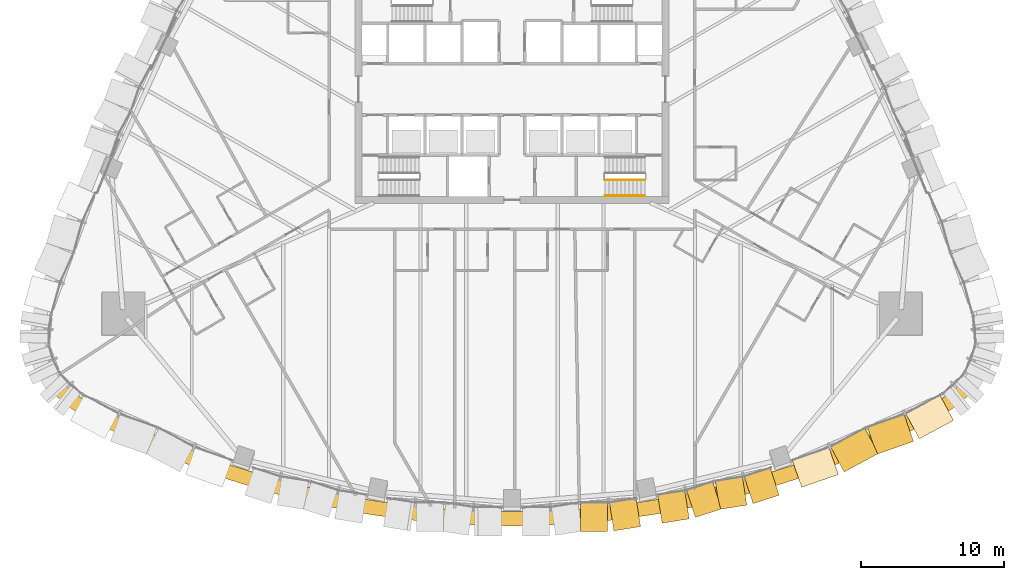
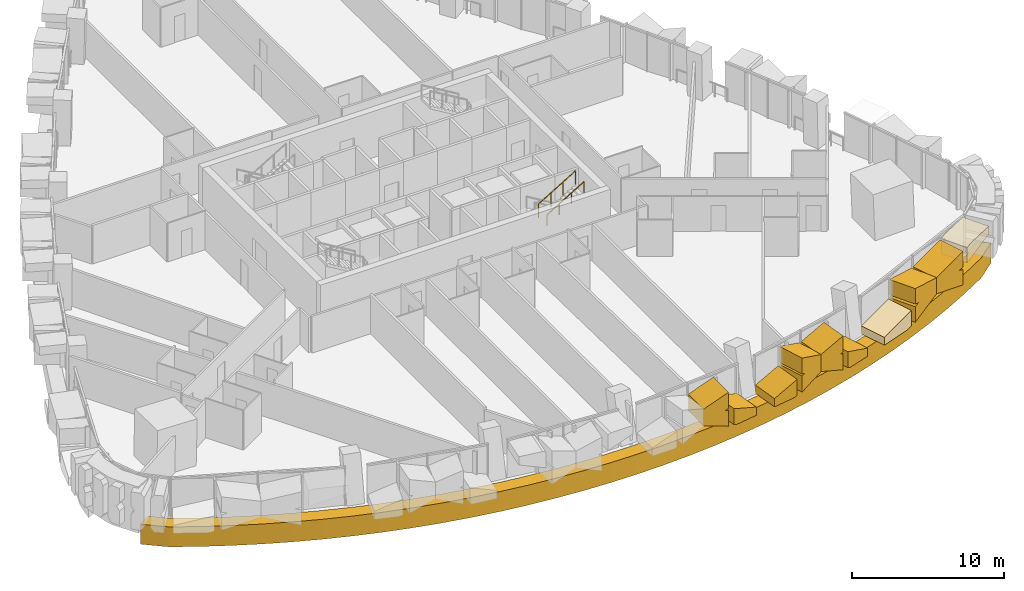
# One storey, part 21 of 27: 11 coverings, 2 railings.
"""IFC4 building model written with IfcOpenShell, lengths in metres."""

from ifc_helpers import new_model, si_unit, direction, frame, origin, origin_2d, place, context, subcontext, project, spatial, polyline, circle, outline, extrude, material, layer, layer_set, type_object, element, save


model = new_model("IFC4")

# Units and contexts
model_context = context("Model", 3, precision=1e-05, world=origin(), true_north=direction((0.0, 1.0)))
body_context = subcontext(model_context, "Body", "Model", "MODEL_VIEW")
ifc_project = project(units=[si_unit("LENGTHUNIT", "METRE"), si_unit("AREAUNIT", "SQUARE_METRE"), si_unit("VOLUMEUNIT", "CUBIC_METRE"), si_unit("PLANEANGLEUNIT", "RADIAN"), si_unit("MASSUNIT", "GRAM", prefix="KILO")], contexts=[model_context])

# Site, building, storey
site_placement = place(None, origin())
site = spatial("IfcSite", under=ifc_project, at=site_placement, CompositionType="ELEMENT")
building_placement = place(site_placement, origin())
building = spatial("IfcBuilding", under=site, at=building_placement, Name="Sierra Prisma Convention Tower", CompositionType="ELEMENT")
storey_placement = place(building_placement, frame((0.0, 0.0, 48.0)))
storey = spatial("IfcBuildingStorey", under=building, at=storey_placement, Name="L07", CompositionType="ELEMENT", Elevation=48.0)

# Coverings
ifc_material_1 = material(Name="Aluminium 6063-T6 bronze anodised", Category="aluminium")
ifc_layer_1 = layer(ifc_material_1, 2.0)
ifc_layer_set_1 = layer_set([ifc_layer_1], Name="Bronze crystal chevron frame")
covering_type_1 = type_object("IfcCoveringType", Name="Bronze crystal chevron frame", PredefinedType="CLADDING", material=ifc_layer_set_1)
covering_1_placement = place(storey_placement, frame((4.8037109375, -30.954345703125, 0.828125), z_axis=(-0.000902723258, -0.999999592545, 0.0), x_axis=(0.938019839753, -0.000846772671, -0.34658052918)))
element("IfcCovering", 1, at=covering_1_placement, inside=storey, type_object=covering_type_1, Name="CW-2 chevron frame S4.2.1", PredefinedType="CLADDING", context=body_context, shape_type="SweptSolid", body=[
    extrude(outline(polyline([(0.0, 0.0), (2.0160695997668276, 0.0), (1.5726902118515769, 1.200006338631869), (1.3381765305511282, 1.2000286754211562), (1.5163370301050965, 1.3525262282366062), (1.072957642189846, 2.552532566868475), (-0.458779206350475, 1.2416859481034337), (0.0, 0.0)])), origin(), (0.0, 0.0, -1.0), 2.0),
])
covering_2_placement = place(storey_placement, frame((7.136962890625, -30.921630859375, 0.081298828125), z_axis=(0.155558960262, -0.98782660905, 1.8318369e-05), x_axis=(0.926562713368, 0.1459049394, -0.346689034807)))
element("IfcCovering", 2, at=covering_2_placement, inside=storey, type_object=covering_type_1, Name="CW-2 chevron frame S4.2.2", PredefinedType="CLADDING", context=body_context, shape_type="SweptSolid", body=[
    extrude(outline(polyline([(0.0, 0.0), (0.23450072143651468, 0.0), (1.8020802693498734, 0.5793967561359634), (1.5726188500720646, 1.2002131906722031), (-0.44351819882542154, 1.199955041302064), (0.0, 0.0)])), origin(), (0.0, 0.0, -1.0), 2.0),
])
covering_3_placement = place(storey_placement, frame((12.188232421875, -30.120849609375, 0.0), z_axis=(0.155406541577, -0.987850598934, 3.1941824e-05), x_axis=(0.928269747487, 0.14604446908, 0.342032584635)))
element("IfcCovering", 3, at=covering_3_placement, inside=storey, type_object=covering_type_1, Name="CW-2 chevron frame S5.1.1", PredefinedType="CLADDING", context=body_context, shape_type="SweptSolid", body=[
    extrude(outline(polyline([(0.0, 0.0), (0.24197599167374007, 1.3877787807814457e-17), (0.6787856719046529, 1.2000752950787237), (-1.3658688099375853, 1.1999428757293895), (-1.5917472624370346, 0.5793724927838824), (0.0, 0.0)])), origin(), (0.0, 0.0, -1.0), 2.0),
])
covering_4_placement = place(storey_placement, frame((12.84423828125, -29.982421875, 1.4072265625), z_axis=(0.307981777238, -0.951392256059, 0.0), x_axis=(0.0, 0.0, -1.0)))
element("IfcCovering", 4, at=covering_4_placement, inside=storey, type_object=covering_type_1, Name="CW-2 chevron frame S5.1.2", PredefinedType="CLADDING", context=body_context, shape_type="SweptSolid", body=[
    extrude(outline(polyline([(0.0, 0.0), (1.277099609375, 0.0), (0.57763671875, 1.9215266214345317), (-0.7431640625, 1.9215266214345317), (-1.442626953125, 0.0), (-0.16552734375, 0.0), (-0.082763671875, 0.22737409886125842), (0.0, 0.0)])), origin(), (0.0, 0.0, -1.0), 2.0),
])
covering_5_placement = place(storey_placement, frame((14.551513671875, -29.41943359375, 0.82958984375), z_axis=(0.155406541656, -0.987850599438, 0.0), x_axis=(0.928249561172, 0.146030233901, -0.342093441869)))
element("IfcCovering", 5, at=covering_5_placement, inside=storey, type_object=covering_type_1, Name="CW-2 chevron frame S5.2.1", PredefinedType="CLADDING", context=body_context, shape_type="SweptSolid", body=[
    extrude(outline(polyline([(0.0, 0.0), (2.0446544862234006, 0.0), (1.6077670852427857, 1.2000470037170134), (1.365791094767203, 1.2000313305337749), (1.5511412664959194, 1.3555874106220287), (1.1142538655153045, 2.555634414339042), (-0.4518372852810413, 1.2411115064249747), (0.0, 0.0)])), origin(), (0.0, 0.0, -1.0), 2.0),
])
covering_6_placement = place(storey_placement, frame((16.880859375, -29.017822265625, 0.082763671875), z_axis=(0.308019191583, -0.951380143437, -1.7051048e-05), x_axis=(0.893995183296, 0.289446345638, -0.342043016653)))
element("IfcCovering", 6, at=covering_6_placement, inside=storey, type_object=covering_type_1, Name="CW-2 chevron frame S5.2.2", PredefinedType="CLADDING", context=body_context, shape_type="SweptSolid", body=[
    extrude(outline(polyline([(0.0, 0.0), (0.24196860748129134, -1.3877787807814457e-17), (1.8337188627454029, 0.5793935925803745), (1.6078335209369934, 1.1999614681322366), (-0.43682300295740867, 1.2000704462150795), (0.0, 0.0)])), origin(), (0.0, 0.0, -1.0), 2.0),
])
covering_7_placement = place(storey_placement, frame((22.47216796875, -27.113037109375, 0.0), z_axis=(0.330390243951, -0.943844418691, 2.847252e-06), x_axis=(0.913090594249, 0.319625712781, 0.253189593831)))
element("IfcCovering", 7, at=covering_7_placement, inside=storey, type_object=covering_type_1, Name="CW-2 chevron frame S6.1.1", PredefinedType="CLADDING", context=body_context, shape_type="SweptSolid", body=[
    extrude(outline(polyline([(0.0, 0.0), (0.42620296763600585, -1.3877787807814457e-17), (0.740217405297154, 1.1998234194495139), (-2.07516139586141, 1.2002599132678504), (-2.236124702095589, 0.5852323179437295), (0.0, 0.0)])), origin(), (0.0, 0.0, -1.0), 2.0),
])
covering_8_placement = place(storey_placement, frame((23.26708984375, -26.7978515625, 1.382080078125), z_axis=(0.474003702178, -0.880522850539, 0.0), x_axis=(0.0, 0.0, -1.0)))
element("IfcCovering", 8, at=covering_8_placement, inside=storey, type_object=covering_type_1, Name="CW-2 chevron frame S6.1.2", PredefinedType="CLADDING", context=body_context, shape_type="SweptSolid", body=[
    extrude(outline(polyline([(0.0, 0.0), (1.240234375, 0.0), (0.52783203125, 2.7241559051187414), (-0.743896484375, 2.7241559051187414), (-1.4560546875, 0.0), (-0.2158203125, 0.0), (-0.10791015625, 0.41257201343915995), (0.0, 0.0)])), origin(), (0.0, 0.0, -1.0), 2.0),
])
covering_9_placement = place(storey_placement, frame((25.552001953125, -25.556640625, 0.854248046875), z_axis=(0.330438188338, -0.943827634522, 0.0), x_axis=(0.913118310092, 0.319686719363, -0.253012555494)))
element("IfcCovering", 9, at=covering_9_placement, inside=storey, type_object=covering_type_1, Name="CW-2 chevron frame S6.2.1", PredefinedType="CLADDING", context=body_context, shape_type="SweptSolid", body=[
    extrude(outline(polyline([(0.0, 0.0), (2.81567980830127, -1.1102230246251565e-16), (2.5018849396715277, 1.1998808629831892), (2.0756039308973686, 1.1999384454043789), (2.447279690878478, 1.408679028903886), (2.133484822248735, 2.608559891887075), (-0.3217632816323484, 1.2303502785983136), (0.0, 0.0)])), origin(), (0.0, 0.0, -1.0), 2.0),
])
covering_10_placement = place(storey_placement, frame((28.52880859375, -24.477783203125, 1.6318359375), z_axis=(0.474003702182, -0.880522850534, -2.30194e-06), x_axis=(0.851875349553, 0.458581497162, 0.253004741624)))
element("IfcCovering", 10, at=covering_10_placement, inside=storey, type_object=covering_type_1, Name="CW-2 chevron frame S6.2.2", PredefinedType="CLADDING", context=body_context, shape_type="SweptSolid", body=[
    extrude(outline(polyline([(0.0, 0.0), (2.815766768532495, -1.1102230246251565e-16), (2.976612556420587, 0.6150583399026489), (0.7402359576687285, 1.1999000251710552), (0.313785177600425, 1.199883397352326), (0.0, 0.0)])), origin(), (0.0, 0.0, -1.0), 2.0),
])
ifc_material_2 = material(Name="Aluminium composite bronze anodised", Category="aluminium")
ifc_layer_2 = layer(ifc_material_2, 1.0)
ifc_layer_set_2 = layer_set([ifc_layer_2], Name="Bronze spandrel band")
covering_type_2 = type_object("IfcCoveringType", Name="Bronze spandrel band", PredefinedType="CLADDING", material=ifc_layer_set_2)
covering_11_placement = place(storey_placement, frame((0.0, 0.0, -1.60009765625)))
element("IfcCovering", 11, at=covering_11_placement, inside=storey, type_object=covering_type_2, Name="Spandrel band L07.2", PredefinedType="CLADDING", context=body_context, shape_type="SweptSolid", body=[
    extrude(outline(polyline([(-18.423583984375, -26.73486328125), (-18.418701171875, -26.735107421875), (-18.413818359375, -26.735107421875), (-18.408935546875, -26.734375), (-18.404296875, -26.7333984375), (-18.39990234375, -26.731689453125), (-17.5302734375, -27.00732421875), (-15.62890625, -27.54296875), (-13.711181640625, -28.016845703125), (-11.779052734375, -28.428466796875), (-10.139892578125, -28.722900390625), (-10.13720703125, -28.724853515625), (-10.13330078125, -28.7275390625), (-10.12890625, -28.72998046875), (-10.12451171875, -28.731689453125), (-10.119873046875, -28.7333984375), (-10.114990234375, -28.734375), (-8.9296875, -28.921142578125), (-8.9248046875, -28.921630859375), (-8.919921875, -28.921630859375), (-8.9150390625, -28.921142578125), (-8.91015625, -28.92041015625), (-8.905517578125, -28.9189453125), (-8.90087890625, -28.9169921875), (-8.896728515625, -28.914794921875), (-7.880126953125, -29.063720703125), (-5.917236328125, -29.28662109375), (-3.9482421875, -29.44580078125), (-1.97509765625, -29.54150390625), (-0.630126953125, -29.563232421875), (-0.627685546875, -29.565185546875), (-0.62353515625, -29.567626953125), (-0.619140625, -29.569580078125), (-0.614501953125, -29.5712890625), (-0.60986328125, -29.572509765625), (-0.60498046875, -29.5732421875), (-0.60009765625, -29.573486328125), (0.60009765625, -29.573486328125), (0.60498046875, -29.5732421875), (0.60986328125, -29.572509765625), (0.614501953125, -29.5712890625), (0.619140625, -29.569580078125), (0.62353515625, -29.567626953125), (0.627685546875, -29.565185546875), (0.630126953125, -29.563232421875), (1.97509765625, -29.54150390625), (3.9482421875, -29.44580078125), (5.917236328125, -29.28662109375), (7.880126953125, -29.063720703125), (8.896728515625, -28.914794921875), (8.90087890625, -28.9169921875), (8.905517578125, -28.9189453125), (8.91015625, -28.92041015625), (8.9150390625, -28.921142578125), (8.919921875, -28.921630859375), (8.9248046875, -28.921630859375), (8.9296875, -28.921142578125), (10.114990234375, -28.734375), (10.119873046875, -28.7333984375), (10.12451171875, -28.731689453125), (10.12890625, -28.72998046875), (10.13330078125, -28.7275390625), (10.13720703125, -28.724853515625), (10.139892578125, -28.722900390625), (11.779052734375, -28.428466796875), (13.711181640625, -28.016845703125), (15.62890625, -27.54296875), (17.5302734375, -27.00732421875), (18.39990234375, -26.731689453125), (18.404296875, -26.7333984375), (18.408935546875, -26.734375), (18.413818359375, -26.735107421875), (18.418701171875, -26.735107421875), (18.423583984375, -26.73486328125), (18.428466796875, -26.73388671875), (18.433349609375, -26.732666015625), (19.573974609375, -26.35986328125), (19.578369140625, -26.358154296875), (19.582763671875, -26.35595703125), (19.5869140625, -26.353271484375), (19.5908203125, -26.350341796875), (19.59423828125, -26.346923828125), (19.594482421875, -26.3466796875), (21.2763671875, -25.75341796875), (23.116943359375, -25.03662109375), (24.93359375, -24.260498046875), (26.72412109375, -23.426025390625), (28.48681640625, -22.5341796875), (30.2197265625, -21.586181640625), (31.35400390625, -20.654052734375), (32.25927734375, -21.1767578125), (32.177734375, -21.271240234375), (30.854736328125, -22.358642578125), (30.69970703125, -22.46337890625), (28.966796875, -23.41162109375), (28.938232421875, -23.426513671875), (27.175537109375, -24.318359375), (27.146484375, -24.33251953125), (25.35595703125, -25.166748046875), (25.326416015625, -25.179931640625), (23.510009765625, -25.9560546875), (23.47998046875, -25.96826171875), (21.639404296875, -26.685302734375), (21.60888671875, -26.696533203125), (19.74609375, -27.353759765625), (19.71533203125, -27.364013671875), (17.832275390625, -27.960693359375), (17.80126953125, -27.969970703125), (15.89990234375, -28.505615234375), (15.86865234375, -28.513671875), (13.950927734375, -28.987548828125), (13.91943359375, -28.994873046875), (11.9873046875, -29.406494140625), (11.955810546875, -29.412841796875), (10.011474609375, -29.761962890625), (9.9794921875, -29.76708984375), (8.02490234375, -30.05322265625), (7.992919921875, -30.057373046875), (6.030029296875, -30.2802734375), (5.997802734375, -30.283203125), (4.02880859375, -30.442626953125), (3.99658203125, -30.444580078125), (2.023681640625, -30.540283203125), (1.9912109375, -30.54150390625), (0.01611328125, -30.5732421875), (-0.01611328125, -30.5732421875), (-1.9912109375, -30.54150390625), (-2.023681640625, -30.540283203125), (-3.99658203125, -30.444580078125), (-4.02880859375, -30.442626953125), (-5.997802734375, -30.283203125), (-6.030029296875, -30.2802734375), (-7.992919921875, -30.057373046875), (-8.02490234375, -30.05322265625), (-9.9794921875, -29.76708984375), (-10.011474609375, -29.761962890625), (-11.955810546875, -29.412841796875), (-11.9873046875, -29.406494140625), (-13.91943359375, -28.994873046875), (-13.950927734375, -28.987548828125), (-15.86865234375, -28.513671875), (-15.89990234375, -28.505615234375), (-17.80126953125, -27.969970703125), (-17.832275390625, -27.960693359375), (-19.71533203125, -27.364013671875), (-19.74609375, -27.353759765625), (-21.60888671875, -26.696533203125), (-21.639404296875, -26.685302734375), (-23.47998046875, -25.96826171875), (-23.510009765625, -25.9560546875), (-25.326416015625, -25.179931640625), (-25.35595703125, -25.166748046875), (-27.146484375, -24.33251953125), (-27.175537109375, -24.318359375), (-28.938232421875, -23.426513671875), (-28.966796875, -23.41162109375), (-30.69970703125, -22.46337890625), (-30.854736328125, -22.358642578125), (-32.177734375, -21.271240234375), (-32.25927734375, -21.1767578125), (-31.35400390625, -20.654052734375), (-30.2197265625, -21.586181640625), (-28.48681640625, -22.5341796875), (-26.72412109375, -23.426025390625), (-24.93359375, -24.260498046875), (-23.116943359375, -25.03662109375), (-21.2763671875, -25.75341796875), (-19.594482421875, -26.3466796875), (-19.59423828125, -26.346923828125), (-19.5908203125, -26.350341796875), (-19.5869140625, -26.353271484375), (-19.582763671875, -26.35595703125), (-19.578369140625, -26.358154296875), (-19.573974609375, -26.35986328125), (-18.433349609375, -26.732666015625), (-18.428466796875, -26.73388671875), (-18.423583984375, -26.73486328125)])), origin(), (0.0, 0.0, 1.0), 1.60009765625),
])

# Railings
ifc_material_3 = material(Name="Stainless steel", Category="steel")
railing_type_1 = type_object("IfcRailingType", Name="Exit stair handrail", PredefinedType="HANDRAIL", material=ifc_material_3)
railing_1_placement = place(storey_placement, frame((6.5, -7.449951171875, 2.01806640625)))
element("IfcRailing", 12, at=railing_1_placement, inside=storey, type_object=railing_type_1, Name="L07 S2 stair handrail 2", PredefinedType="HANDRAIL", context=body_context, shape_type="SweptSolid", body=[
    extrude(circle(Radius=0.02392578125, at=origin_2d()), frame((0.0, 0.0, 0.8759765625), z_axis=(0.857242210791, 0.0, 0.514913383045), x_axis=(0.0, 1.0, 0.0)), (0.0, 0.0, 1.0), 3.266357421875),
    extrude(circle(Radius=0.02099609375, at=origin_2d()), origin(), (0.0, 0.0, 1.0), 0.851806640625),
    extrude(circle(Radius=0.02099609375, at=origin_2d()), frame((0.933349609375, 0.0, 0.560546875)), (0.0, 0.0, 1.0), 0.851806640625),
    extrude(circle(Radius=0.02099609375, at=origin_2d()), frame((1.86669921875, 0.0, 1.121337890625)), (0.0, 0.0, 1.0), 0.851806640625),
    extrude(circle(Radius=0.02099609375, at=origin_2d()), frame((2.800048828125, 0.0, 1.681884765625)), (0.0, 0.0, 1.0), 0.851806640625),
])
ifc_material_4 = material(Name="Stainless steel", Category="steel")
railing_type_2 = type_object("IfcRailingType", Name="Stair guard 1100", PredefinedType="GUARDRAIL", material=ifc_material_4)
railing_2_placement = place(storey_placement, frame((6.5, -6.35009765625, 2.01806640625)))
element("IfcRailing", 13, at=railing_2_placement, inside=storey, type_object=railing_type_2, Name="L07 S2 stair guard 3", PredefinedType="GUARDRAIL", context=body_context, shape_type="SweptSolid", body=[
    extrude(circle(Radius=0.02392578125, at=origin_2d()), frame((0.0, 0.0, 1.076171875), z_axis=(0.857242210791, 0.0, 0.514913383045), x_axis=(0.0, 1.0, 0.0)), (0.0, 0.0, 1.0), 3.266357421875),
    extrude(circle(Radius=0.02099609375, at=origin_2d()), origin(), (0.0, 0.0, 1.0), 1.052001953125),
    extrude(circle(Radius=0.02099609375, at=origin_2d()), frame((0.933349609375, 0.0, 0.560546875)), (0.0, 0.0, 1.0), 1.052001953125),
    extrude(circle(Radius=0.02099609375, at=origin_2d()), frame((1.86669921875, 0.0, 1.121337890625)), (0.0, 0.0, 1.0), 1.052001953125),
    extrude(circle(Radius=0.02099609375, at=origin_2d()), frame((2.800048828125, 0.0, 1.681884765625)), (0.0, 0.0, 1.0), 1.052001953125),
])

save(model, "model.ifc")
